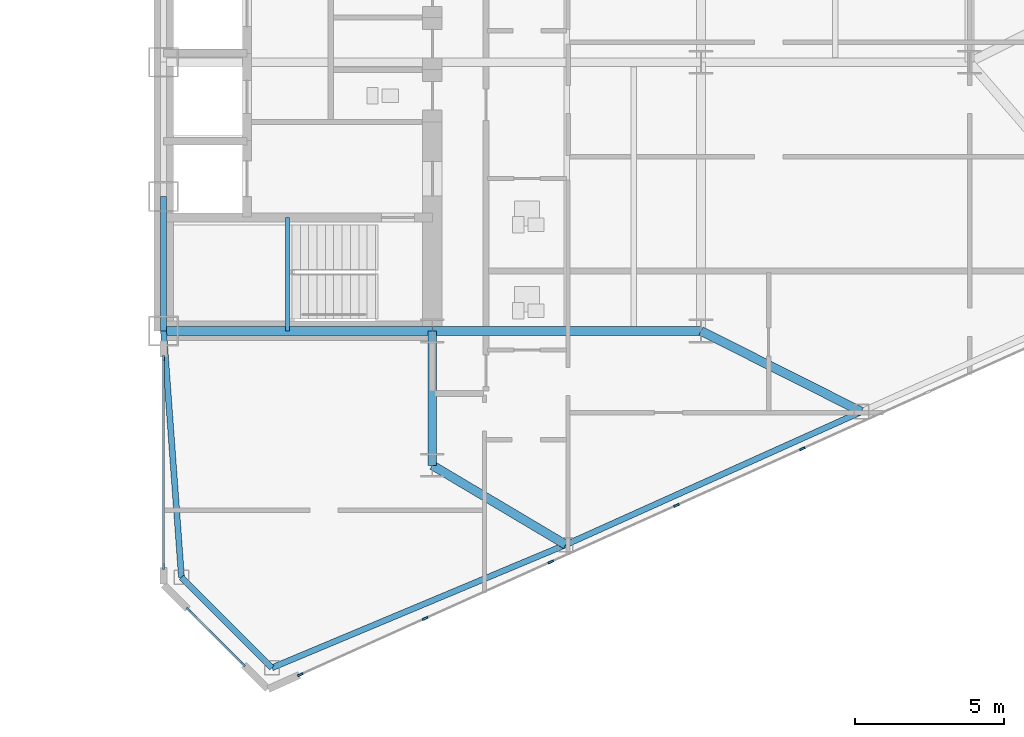
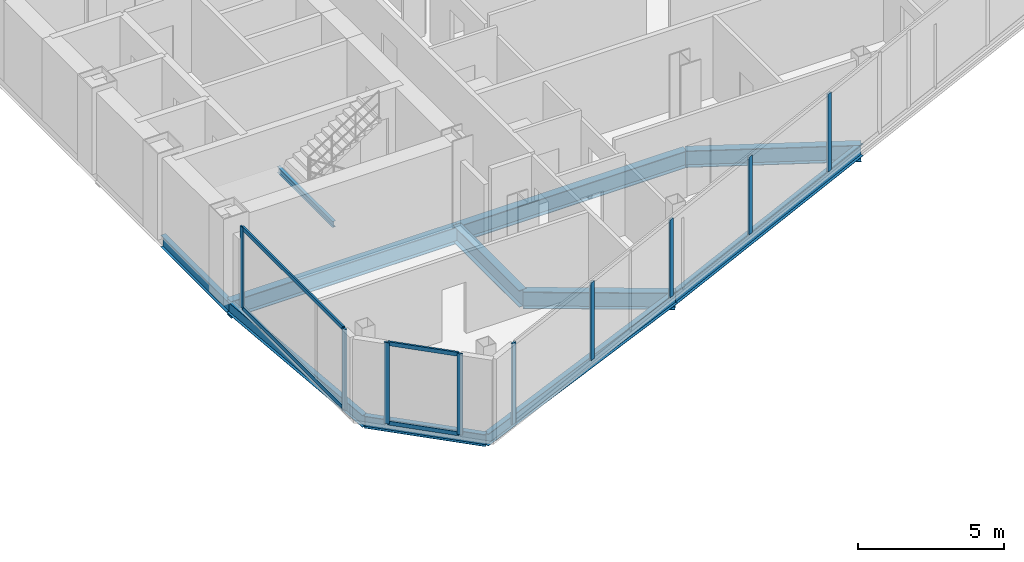
# One storey, part 10 of 27: 13 members, 11 beams, 3 elements without a shape of their own.
"""IFC4 building model written with IfcOpenShell, lengths in metres."""

from ifc_helpers import new_model, si_unit, direction, frame, origin, origin_2d, place, context, subcontext, project, spatial, rectangle, i_section, extrude, source, transform, mapped, material, layer, layer_set, material_profile, profile_set, type_object, type_shapes, element, aggregate, save


model = new_model("IFC4")

# Units and contexts
model_context = context("Model", 3, precision=1e-05, world=origin(), true_north=direction((0.0, 1.0)))
body_context = subcontext(model_context, "Body", "Model", "MODEL_VIEW")
ifc_project = project(units=[si_unit("LENGTHUNIT", "METRE"), si_unit("AREAUNIT", "SQUARE_METRE"), si_unit("VOLUMEUNIT", "CUBIC_METRE"), si_unit("PLANEANGLEUNIT", "RADIAN"), si_unit("MASSUNIT", "GRAM", prefix="KILO")], contexts=[model_context])

# Site, building, storey
site_placement = place(None, origin())
site = spatial("IfcSite", under=ifc_project, at=site_placement, CompositionType="ELEMENT")
building_placement = place(site_placement, origin())
building = spatial("IfcBuilding", under=site, at=building_placement, Name="Seokmaru Belvedere", CompositionType="ELEMENT")
storey_placement = place(building_placement, frame((0.0, 0.0, 80.10009765625)))
storey = spatial("IfcBuildingStorey", under=building, at=storey_placement, Name="L21", CompositionType="ELEMENT", Elevation=80.10009765625)

# Beams
ifc_material_1 = material(Name="Steel SM355 (355 MPa)", Category="steel")
ifc_material_profile_1 = material_profile(ifc_material_1, i_section(OverallWidth=0.199951171875, OverallDepth=0.5, WebThickness=0.010009765625, FlangeThickness=0.01611328125, at=origin_2d()), Name="H-500x200x10x16")
ifc_profile_set_1 = profile_set([ifc_material_profile_1], Name="Steel SM355 (355 MPa)")
beam_type_1 = type_object("IfcBeamType", Name="Perimeter Spandrel Beam H-500", PredefinedType="SPANDREL", material=ifc_profile_set_1)
shared_shape_1 = source(origin(), body_context, "Body", "SweptSolid", [
    extrude(i_section(OverallWidth=0.199951171875, OverallDepth=0.5, WebThickness=0.010009765625, FlangeThickness=0.01611328125, at=origin_2d()), origin(), (0.0, 0.0, 1.0), 4.5),
])
beam_1_placement = place(storey_placement, frame((27.5, -13.5, -0.47021484375), z_axis=(0.0, 1.0, 0.0), x_axis=(-1.0, 0.0, 0.0)))
element("IfcBeam", 1, at=beam_1_placement, inside=storey, type_object=beam_type_1, Name="L21 E Portal Spine Spandrel 1", PredefinedType="SPANDREL", context=body_context, shape_type="MappedRepresentation", body=[
    mapped(shared_shape_1, transform((0.0, 0.0, 0.0), scale=1.0)),
])
ifc_material_profile_2 = material_profile(ifc_material_1, i_section(OverallWidth=0.300048828125, OverallDepth=0.699951171875, WebThickness=0.012939453125, FlangeThickness=0.02392578125, at=origin_2d()), Name="H-700x300x13x24")
ifc_profile_set_2 = profile_set([ifc_material_profile_2], Name="Steel SM355 (355 MPa)")
beam_type_2 = type_object("IfcBeamType", Name="Primary Floor Girder H-700", PredefinedType="BEAM", material=ifc_profile_set_2)
shared_shape_2 = source(origin(), body_context, "Body", "SweptSolid", [
    extrude(i_section(OverallWidth=0.300048828125, OverallDepth=0.699951171875, WebThickness=0.012939453125, FlangeThickness=0.02392578125, at=origin_2d()), origin(), (0.0, 0.0, 1.0), 4.5),
])
beam_2_placement = place(storey_placement, frame((36.5, -18.0, -0.570068359375), z_axis=(0.0, 1.0, 0.0), x_axis=(-1.0, 0.0, 0.0)))
element("IfcBeam", 2, at=beam_2_placement, inside=storey, type_object=beam_type_2, Name="L21 E Core Shoulder Girder S", PredefinedType="BEAM", context=body_context, shape_type="MappedRepresentation", body=[
    mapped(shared_shape_2, transform((0.0, 0.0, 0.0), scale=1.0)),
])
shared_shape_3 = source(origin(), body_context, "Body", "SweptSolid", [
    extrude(i_section(OverallWidth=0.300048828125, OverallDepth=0.699951171875, WebThickness=0.012939453125, FlangeThickness=0.02392578125, at=origin_2d()), origin(), (0.0, 0.0, 1.0), 9.0),
])
for number, where, z_axis, x_axis, name in (
    (3, (27.5, -13.5, -0.570068359375), (1.0, 0.0, 0.0), (0.0, 1.0, 0.0), "L21 E Core Tie Girder 1"),
    (4, (36.5, -13.5, -0.570068359375), (1.0, 0.0, 0.0), (0.0, 1.0, 0.0), "L21 E Wing Primary Girder 1"),
):
    element("IfcBeam", number, at=place(storey_placement, frame(where, z_axis=z_axis, x_axis=x_axis)), inside=storey, type_object=beam_type_2, Name=name, PredefinedType="BEAM", context=body_context, shape_type="MappedRepresentation", body=[
        mapped(shared_shape_3, transform((0.0, 0.0, 0.0), scale=1.0)),
    ])
shared_shape_4 = source(origin(), body_context, "Body", "SweptSolid", [
    extrude(i_section(OverallWidth=0.199951171875, OverallDepth=0.5, WebThickness=0.010009765625, FlangeThickness=0.01611328125, at=origin_2d()), origin(), (0.0, 0.0, 1.0), 10.66943359375),
])
beam_3_placement = place(storey_placement, frame((31.13134765625, -24.782958984375, -0.47021484375), z_axis=(0.922375393128, 0.386294750355, 0.0), x_axis=(-0.386294750355, 0.922375393128, 0.0)))
element("IfcBeam", 5, at=beam_3_placement, inside=storey, type_object=beam_type_1, Name="L21 E Faceted Flank Spandrel S-1", PredefinedType="SPANDREL", context=body_context, shape_type="MappedRepresentation", body=[
    mapped(shared_shape_4, transform((0.0, 0.0, 0.0), scale=1.0)),
])
shared_shape_5 = source(origin(), body_context, "Body", "SweptSolid", [
    extrude(i_section(OverallWidth=0.199951171875, OverallDepth=0.5, WebThickness=0.010009765625, FlangeThickness=0.01611328125, at=origin_2d()), origin(), (0.0, 0.0, 1.0), 10.85888671875),
])
beam_4_placement = place(storey_placement, frame((40.97265625, -20.661376953125, -0.47021484375), z_axis=(0.911921505175, 0.410364677329, 0.0), x_axis=(-0.410364677329, 0.911921505175, 0.0)))
element("IfcBeam", 6, at=beam_4_placement, inside=storey, type_object=beam_type_1, Name="L21 E Faceted Flank Spandrel S-2", PredefinedType="SPANDREL", context=body_context, shape_type="MappedRepresentation", body=[
    mapped(shared_shape_5, transform((0.0, 0.0, 0.0), scale=1.0)),
])
shared_shape_6 = source(origin(), body_context, "Body", "SweptSolid", [
    extrude(i_section(OverallWidth=0.199951171875, OverallDepth=0.5, WebThickness=0.010009765625, FlangeThickness=0.01611328125, at=origin_2d()), origin(), (0.0, 0.0, 1.0), 4.287109375),
])
beam_5_placement = place(storey_placement, frame((31.13134765625, -24.782958984375, -0.47021484375), z_axis=(-0.707078306132, 0.707135255094, 0.0), x_axis=(-0.707135255094, -0.707078306132, 0.0)))
element("IfcBeam", 7, at=beam_5_placement, inside=storey, type_object=beam_type_1, Name="L21 E Shoulder Chamfer Spandrel S", PredefinedType="SPANDREL", context=body_context, shape_type="MappedRepresentation", body=[
    mapped(shared_shape_6, transform((0.0, 0.0, 0.0), scale=1.0)),
])
shared_shape_7 = source(origin(), body_context, "Body", "SweptSolid", [
    extrude(i_section(OverallWidth=0.199951171875, OverallDepth=0.5, WebThickness=0.010009765625, FlangeThickness=0.01611328125, at=origin_2d()), origin(), (0.0, 0.0, 1.0), 8.273193359375),
])
type_shapes(beam_type_1, [shared_shape_1, shared_shape_4, shared_shape_5, shared_shape_6, shared_shape_7])
beam_6_placement = place(storey_placement, frame((28.10009765625, -21.75146484375, -0.47021484375), z_axis=(-0.072534628348, 0.99736589459, 0.0), x_axis=(-0.99736589459, -0.072534628348, 0.0)))
element("IfcBeam", 8, at=beam_6_placement, inside=storey, type_object=beam_type_1, Name="L21 E Shoulder Spine Spandrel S", PredefinedType="SPANDREL", context=body_context, shape_type="MappedRepresentation", body=[
    mapped(shared_shape_7, transform((0.0, 0.0, 0.0), scale=1.0)),
])
shared_shape_8 = source(origin(), body_context, "Body", "SweptSolid", [
    extrude(i_section(OverallWidth=0.300048828125, OverallDepth=0.699951171875, WebThickness=0.012939453125, FlangeThickness=0.02392578125, at=origin_2d()), origin(), (0.0, 0.0, 1.0), 5.20458984375),
])
beam_7_placement = place(storey_placement, frame((40.97265625, -20.661376953125, -0.570068359375), z_axis=(-0.859370434188, 0.511353553662, 0.0), x_axis=(-0.511353553662, -0.859370434188, 0.0)))
element("IfcBeam", 9, at=beam_7_placement, inside=storey, type_object=beam_type_2, Name="L21 E Flank Radial Floor Girder S-1", PredefinedType="BEAM", context=body_context, shape_type="MappedRepresentation", body=[
    mapped(shared_shape_8, transform((0.0, 0.0, 0.0), scale=1.0)),
])
shared_shape_9 = source(origin(), body_context, "Body", "SweptSolid", [
    extrude(i_section(OverallWidth=0.300048828125, OverallDepth=0.699951171875, WebThickness=0.012939453125, FlangeThickness=0.02392578125, at=origin_2d()), origin(), (0.0, 0.0, 1.0), 6.017333984375),
])
type_shapes(beam_type_2, [shared_shape_2, shared_shape_3, shared_shape_8, shared_shape_9])
beam_8_placement = place(storey_placement, frame((50.875, -16.205322265625, -0.570068359375), z_axis=(-0.893239341975, 0.449581447512, 0.0), x_axis=(-0.449581447512, -0.893239341975, 0.0)))
element("IfcBeam", 10, at=beam_8_placement, inside=storey, type_object=beam_type_2, Name="L21 E Flank Radial Floor Girder S-2", PredefinedType="BEAM", context=body_context, shape_type="MappedRepresentation", body=[
    mapped(shared_shape_9, transform((0.0, 0.0, 0.0), scale=1.0)),
])

# Curtain wall, member
ifc_material_2 = material(Name="Bronze Triple Insulating Glass", Category="glass")
ifc_layer = layer(ifc_material_2, 0.195068359375)
ifc_layer_set = layer_set([ifc_layer], Name="Bronze Triple Insulating Glass")
curtain_wall_type = type_object("IfcCurtainWallType", Name="Lower-Mid Tapered Curtain Wall System CW-3", PredefinedType="NOTDEFINED", material=ifc_layer_set)
curtain_wall_1_placement = place(storey_placement, origin())
curtain_wall_1 = element("IfcCurtainWall", 11, at=curtain_wall_1_placement, inside=storey, type_object=curtain_wall_type, Name="L21 Curtain Wall EF1", PredefinedType="NOTDEFINED")
ifc_material_3 = material(Name="Anodised Bronze Aluminium", Category="aluminium")
ifc_material_profile_3 = material_profile(ifc_material_3, rectangle(XDim=0.070068359375, YDim=0.195068359375, at=origin_2d()), Name="CW-M-70x195")
ifc_profile_set_3 = profile_set([ifc_material_profile_3], Name="Anodised Bronze Aluminium")
member_type_1 = type_object("IfcMemberType", Name="Bronze Unitised Mullion 70x195", PredefinedType="MULLION", material=ifc_profile_set_3)
shared_shape_10 = source(origin(), body_context, "Body", "SweptSolid", [
    extrude(rectangle(XDim=0.070068359375, YDim=0.195068359375, at=origin_2d()), origin(), (0.0, 0.0, 1.0), 3.3798828125),
])
member_1_placement = place(storey_placement, frame((32.08056640625, -25.013671875, 0.0), z_axis=(0.0, 0.0, 1.0), x_axis=(-0.41036554765, 0.91192111353, 0.0)))
member_1 = element("IfcMember", 12, at=member_1_placement, type_object=member_type_1, Name="CW:L21:EF1 Mullion 1", PredefinedType="MULLION", context=body_context, shape_type="MappedRepresentation", body=[
    mapped(shared_shape_10, transform((0.0, 0.0, 0.0), scale=1.0)),
])

# Curtain wall, members
curtain_wall_2_placement = place(storey_placement, origin())
curtain_wall_2 = element("IfcCurtainWall", 13, at=curtain_wall_2_placement, inside=storey, type_object=curtain_wall_type, Name="L21 Curtain Wall ESP_1", PredefinedType="NOTDEFINED")
member_2_placement = place(storey_placement, frame((27.5, -14.4150390625, 0.0), z_axis=(0.0, 0.0, 1.0), x_axis=(1.0, 0.0, 0.0)))
member_2 = element("IfcMember", 14, at=member_2_placement, type_object=member_type_1, Name="CW:L21:ESP_1 Mullion 1", PredefinedType="MULLION", context=body_context, shape_type="MappedRepresentation", body=[
    mapped(shared_shape_10, transform((0.0, 0.0, 0.0), scale=1.0)),
])
member_3_placement = place(storey_placement, frame((27.5, -21.39501953125, 0.0), z_axis=(0.0, 0.0, 1.0), x_axis=(1.0, 0.0, 0.0)))
member_3 = element("IfcMember", 15, at=member_3_placement, type_object=member_type_1, Name="CW:L21:ESP_1 Mullion 2", PredefinedType="MULLION", context=body_context, shape_type="MappedRepresentation", body=[
    mapped(shared_shape_10, transform((0.0, 0.0, 0.0), scale=1.0)),
])

curtain_wall_3_placement = place(storey_placement, origin())
curtain_wall_3 = element("IfcCurtainWall", 16, at=curtain_wall_3_placement, inside=storey, type_object=curtain_wall_type, Name="L21 Curtain Wall EF6", PredefinedType="NOTDEFINED")
member_4_placement = place(storey_placement, frame((28.337890625, -22.837890625, 0.0), z_axis=(0.0, 0.0, 1.0), x_axis=(0.707106781187, 0.707106781187, 0.0)))
member_4 = element("IfcMember", 17, at=member_4_placement, type_object=member_type_1, Name="CW:L21:EF6 Mullion 1", PredefinedType="MULLION", context=body_context, shape_type="MappedRepresentation", body=[
    mapped(shared_shape_10, transform((0.0, 0.0, 0.0), scale=1.0)),
])
member_5_placement = place(storey_placement, frame((30.162109375, -24.662109375, 0.0), z_axis=(0.0, 0.0, 1.0), x_axis=(0.707106781187, 0.707106781187, 0.0)))
member_5 = element("IfcMember", 18, at=member_5_placement, type_object=member_type_1, Name="CW:L21:EF6 Mullion 2", PredefinedType="MULLION", context=body_context, shape_type="MappedRepresentation", body=[
    mapped(shared_shape_10, transform((0.0, 0.0, 0.0), scale=1.0)),
])

# Member
ifc_material_profile_4 = material_profile(ifc_material_3, rectangle(XDim=0.070068359375, YDim=0.1650390625, at=origin_2d()), Name="CW-T-70x165")
ifc_profile_set_4 = profile_set([ifc_material_profile_4], Name="Anodised Bronze Aluminium")
member_type_2 = type_object("IfcMemberType", Name="Bronze Unitised Transom 70x165", PredefinedType="USERDEFINED", material=ifc_profile_set_4)
shared_shape_11 = source(origin(), body_context, "Body", "SweptSolid", [
    extrude(rectangle(XDim=0.070068359375, YDim=0.1650390625, at=origin_2d()), origin(), (0.0, 0.0, 1.0), 6.91015625),
])
member_6_placement = place(storey_placement, frame((27.5, -14.449951171875, 0.034912109375), z_axis=(0.0, -1.0, 0.0), x_axis=(1.0, 0.0, 0.0)))
member_6 = element("IfcMember", 19, at=member_6_placement, type_object=member_type_2, Name="CW:L21:ESP_1 Continuous Transom 1", ObjectType="TRANSOM", PredefinedType="USERDEFINED", context=body_context, shape_type="MappedRepresentation", body=[
    mapped(shared_shape_11, transform((0.0, 0.0, 0.0), scale=1.0)),
])

member_7_placement = place(storey_placement, frame((27.5, -14.449951171875, 3.344970703125), z_axis=(0.0, -1.0, 0.0), x_axis=(1.0, 0.0, 0.0)))
member_7 = element("IfcMember", 20, at=member_7_placement, type_object=member_type_2, Name="CW:L21:ESP_1 Continuous Transom 2", ObjectType="TRANSOM", PredefinedType="USERDEFINED", context=body_context, shape_type="MappedRepresentation", body=[
    mapped(shared_shape_11, transform((0.0, 0.0, 0.0), scale=1.0)),
])

aggregate(curtain_wall_2, [member_2, member_3, member_6, member_7])

shared_shape_12 = source(origin(), body_context, "Body", "SweptSolid", [
    extrude(rectangle(XDim=0.070068359375, YDim=0.1650390625, at=origin_2d()), origin(), (0.0, 0.0, 1.0), 2.509521484375),
])
type_shapes(member_type_2, [shared_shape_11, shared_shape_12])
member_8_placement = place(storey_placement, frame((28.36279296875, -22.86279296875, 0.034912109375), z_axis=(0.707106781187, -0.707106781187, 0.0), x_axis=(0.707106781187, 0.707106781187, 0.0)))
member_8 = element("IfcMember", 21, at=member_8_placement, type_object=member_type_2, Name="CW:L21:EF6 Continuous Transom 1", ObjectType="TRANSOM", PredefinedType="USERDEFINED", context=body_context, shape_type="MappedRepresentation", body=[
    mapped(shared_shape_12, transform((0.0, 0.0, 0.0), scale=1.0)),
])

member_9_placement = place(storey_placement, frame((28.36279296875, -22.86279296875, 3.344970703125), z_axis=(0.707106781187, -0.707106781187, 0.0), x_axis=(0.707106781187, 0.707106781187, 0.0)))
member_9 = element("IfcMember", 22, at=member_9_placement, type_object=member_type_2, Name="CW:L21:EF6 Continuous Transom 2", ObjectType="TRANSOM", PredefinedType="USERDEFINED", context=body_context, shape_type="MappedRepresentation", body=[
    mapped(shared_shape_12, transform((0.0, 0.0, 0.0), scale=1.0)),
])

aggregate(curtain_wall_3, [member_4, member_5, member_8, member_9])

shared_shape_13 = source(origin(), body_context, "Body", "SweptSolid", [
    extrude(rectangle(XDim=0.070068359375, YDim=0.195068359375, at=origin_2d()), origin(), (0.0, 0.0, 1.0), 3.239990234375),
])
type_shapes(member_type_1, [shared_shape_10, shared_shape_13])
member_10_placement = place(storey_placement, frame((36.260009765625, -23.133056640625, 0.06982421875), z_axis=(0.0, 0.0, 1.0), x_axis=(-0.41036554765, 0.91192111353, 0.0)))
member_10 = element("IfcMember", 23, at=member_10_placement, type_object=member_type_1, Name="CW:L21:EF1 Mullion 2", PredefinedType="MULLION", context=body_context, shape_type="MappedRepresentation", body=[
    mapped(shared_shape_13, transform((0.0, 0.0, 0.0), scale=1.0)),
])

member_11_placement = place(storey_placement, frame((40.471435546875, -21.23779296875, 0.06982421875), z_axis=(0.0, 0.0, 1.0), x_axis=(-0.41036554765, 0.91192111353, 0.0)))
member_11 = element("IfcMember", 24, at=member_11_placement, type_object=member_type_1, Name="CW:L21:EF1 Mullion 3", PredefinedType="MULLION", context=body_context, shape_type="MappedRepresentation", body=[
    mapped(shared_shape_13, transform((0.0, 0.0, 0.0), scale=1.0)),
])

member_12_placement = place(storey_placement, frame((44.682861328125, -19.3427734375, 0.06982421875), z_axis=(0.0, 0.0, 1.0), x_axis=(-0.41036554765, 0.91192111353, 0.0)))
member_12 = element("IfcMember", 25, at=member_12_placement, type_object=member_type_1, Name="CW:L21:EF1 Mullion 4", PredefinedType="MULLION", context=body_context, shape_type="MappedRepresentation", body=[
    mapped(shared_shape_13, transform((0.0, 0.0, 0.0), scale=1.0)),
])

member_13_placement = place(storey_placement, frame((48.894287109375, -17.447509765625, 0.06982421875), z_axis=(0.0, 0.0, 1.0), x_axis=(-0.41036554765, 0.91192111353, 0.0)))
member_13 = element("IfcMember", 26, at=member_13_placement, type_object=member_type_1, Name="CW:L21:EF1 Mullion 5", PredefinedType="MULLION", context=body_context, shape_type="MappedRepresentation", body=[
    mapped(shared_shape_13, transform((0.0, 0.0, 0.0), scale=1.0)),
])

aggregate(curtain_wall_1, [member_1, member_10, member_11, member_12, member_13])

# Beam
ifc_material_profile_5 = material_profile(ifc_material_1, i_section(OverallWidth=0.125, OverallDepth=0.25, WebThickness=0.006103515625, FlangeThickness=0.009033203125, at=origin_2d()), Name="H-250x125x6x9")
ifc_profile_set_5 = profile_set([ifc_material_profile_5], Name="Steel SM355 (355 MPa)")
beam_type_3 = type_object("IfcBeamType", Name="Stair Mid-Landing Support Beam H-250", PredefinedType="JOIST", material=ifc_profile_set_5)
shared_shape_14 = source(origin(), body_context, "Body", "SweptSolid", [
    extrude(i_section(OverallWidth=0.125, OverallDepth=0.25, WebThickness=0.006103515625, FlangeThickness=0.009033203125, at=origin_2d()), origin(), (0.0, 0.0, 1.0), 3.800048828125),
])
type_shapes(beam_type_3, [shared_shape_14])
beam_9_placement = place(storey_placement, frame((31.64990234375, -13.5, 1.474853515625), z_axis=(0.0, 1.0, 0.0), x_axis=(-1.0, 0.0, 0.0)))
element("IfcBeam", 27, at=beam_9_placement, inside=storey, type_object=beam_type_3, Name="L21 Stair ST-E1 Mid-Landing Support Beam 1", PredefinedType="JOIST", context=body_context, shape_type="MappedRepresentation", body=[
    mapped(shared_shape_14, transform((0.0, 0.0, 0.0), scale=1.0)),
])

save(model, "model.ifc")
